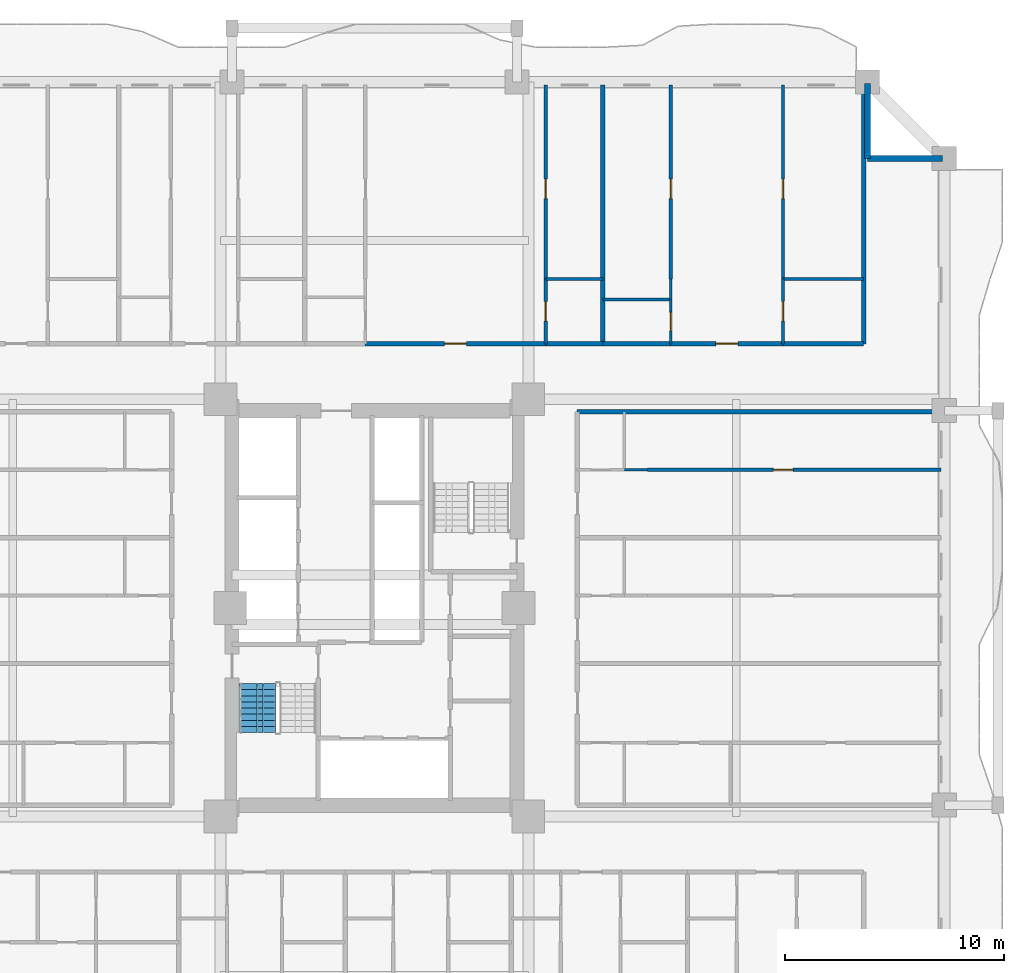
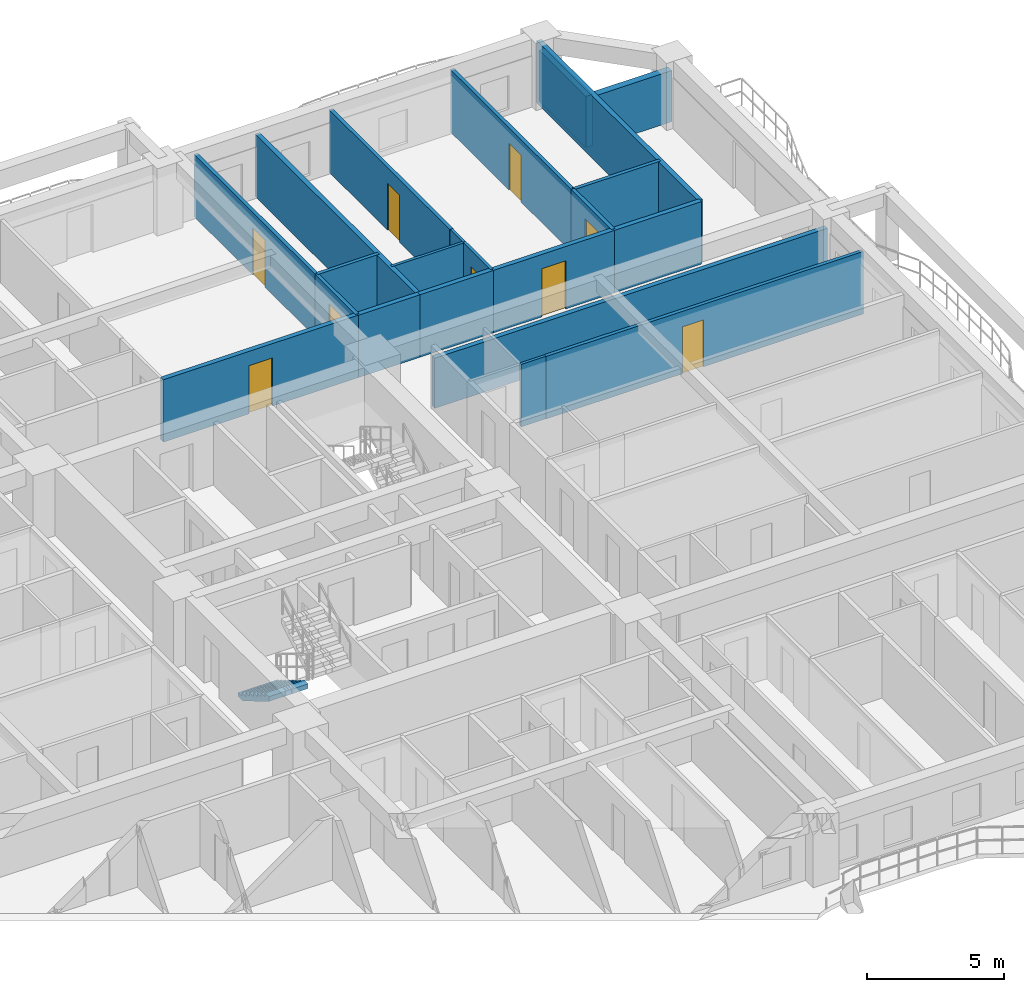
# One storey, part 9 of 16: 22 walls, 9 doors, 1 stair flight, 9 openings, 1 element without a shape of its own.
"""IFC4 building model written with IfcOpenShell, lengths in metres."""

from ifc_helpers import new_model, si_unit, direction, frame, frame_2d, origin, place, context, subcontext, project, spatial, polyline, rectangle, outline, extrude, source, transform, mapped, material, layer, layer_set, type_object, element, fill, aggregate, save


model = new_model("IFC4")

# Units and contexts
model_context = context("Model", 3, precision=1e-05, world=origin(), true_north=direction((0.0, 1.0)))
body_context = subcontext(model_context, "Body", "Model", "MODEL_VIEW")
ifc_project = project(units=[si_unit("LENGTHUNIT", "METRE"), si_unit("AREAUNIT", "SQUARE_METRE"), si_unit("VOLUMEUNIT", "CUBIC_METRE"), si_unit("PLANEANGLEUNIT", "RADIAN"), si_unit("MASSUNIT", "GRAM", prefix="KILO")], contexts=[model_context])

# Site, building, storey
site_placement = place(None, origin())
site = spatial("IfcSite", under=ifc_project, at=site_placement, CompositionType="ELEMENT")
building_placement = place(site_placement, origin())
building = spatial("IfcBuilding", under=site, at=building_placement, Name="Saelheon Loggia Tower", CompositionType="ELEMENT")
storey_placement = place(building_placement, frame((0.0, 0.0, 58.39990234375)))
storey = spatial("IfcBuildingStorey", under=building, at=storey_placement, Name="L18", CompositionType="ELEMENT", Elevation=58.39990234375)

# Walls
ifc_material_1 = material(Name="Architectural Precast Concrete C40/50", Category="concrete")
ifc_layer_1 = layer(ifc_material_1, 0.280029296875)
ifc_layer_set_1 = layer_set([ifc_layer_1], Name="Architectural Precast Concrete C40/50")
wall_type_1 = type_object("IfcWallType", Name="Wall_Ext_Loggia_280", PredefinedType="SOLIDWALL", material=ifc_layer_set_1)
for number, where, z_axis, x_axis, name in (
    (1, (60.5, 47.5, 0.0), (0.0, 0.0, 1.0), (0.0, 1.0, 0.0), "L18 Corner Notch Precast Wall NE1"),
    (2, (60.5, 47.5, 0.0), (0.0, 0.0, 1.0), (1.0, 0.0, 0.0), "L18 Corner Notch Precast Wall NE2"),
):
    element("IfcWall", number, at=place(storey_placement, frame(where, z_axis=z_axis, x_axis=x_axis)), inside=storey, type_object=wall_type_1, Name=name, PredefinedType="SOLIDWALL", context=body_context, shape_type="SweptSolid", body=[
        extrude(rectangle(XDim=3.419921875, YDim=0.280029296875, at=frame_2d((1.7099609375, 0.0))), origin(), (0.0, 0.0, 1.0), 2.280029296875),
    ])
ifc_material_2 = material(Name="Lightweight Autoclaved Aerated Concrete Block and Acoustic Gypsum", Category="concrete")
ifc_layer_2 = layer(ifc_material_2, 0.14990234375)
ifc_layer_set_2 = layer_set([ifc_layer_2], Name="Lightweight Autoclaved Aerated Concrete Block and Acoustic Gypsum")
wall_type_2 = type_object("IfcWallType", Name="Wall_Part_150", PredefinedType="PARTITIONING", material=ifc_layer_set_2)
wall_1_placement = place(storey_placement, frame((45.820068359375, 42.010009765625, 0.0), z_axis=(0.0, 0.0, 1.0), x_axis=(1.0, 0.0, 0.0)))
element("IfcWall", 3, at=wall_1_placement, inside=storey, type_object=wall_type_2, Name="L18 N Partition V31", PredefinedType="PARTITIONING", context=body_context, shape_type="SweptSolid", body=[
    extrude(rectangle(XDim=2.602783203125, YDim=0.14990234375, at=frame_2d((1.30126953125, 0.0))), origin(), (0.0, 0.0, 1.0), 2.7900390625),
])

# Wall, opening, door
wall_2_placement = place(storey_placement, frame((45.820068359375, 39.050048828125, 0.0), z_axis=(0.0, 0.0, 1.0), x_axis=(0.0, 1.0, 0.0)))
wall_2 = element("IfcWall", 4, at=wall_2_placement, inside=storey, type_object=wall_type_2, Name="L18 N Partition U35", PredefinedType="PARTITIONING", context=body_context, shape_type="SweptSolid", body=[
    extrude(rectangle(XDim=2.9599609375, YDim=0.14990234375, at=frame_2d((1.47998046875, 0.0))), origin(), (0.0, 0.0, 1.0), 2.7900390625),
])
opening_1_placement = place(wall_2_placement, frame((1.030029296875, 0.0, 0.0)))
opening_1 = element("IfcOpeningElement", 5, at=opening_1_placement, cuts=wall_2, Name="Opening D-IN2", PredefinedType="OPENING", context=body_context, shape_type="SweptSolid", body=[
    extrude(rectangle(XDim=0.89990234375, YDim=2.10009765625, at=frame_2d((0.449951171875, 1.050048828125))), frame((0.0, 0.0869140625, 0.0), z_axis=(0.0, -1.0, 0.0), x_axis=(1.0, 0.0, 0.0)), (0.0, 0.0, 1.0), 0.173828125),
])
ifc_material_3 = material(Name="Engineered Oak Flush Door", Category="timber")
door_type_1 = type_object("IfcDoorType", Name="Door_Int_900", OperationType="NOTDEFINED", PredefinedType="DOOR", material=ifc_material_3)
shared_shape_1 = source(origin(), body_context, "Body", "SweptSolid", [
    extrude(rectangle(XDim=0.89990234375, YDim=2.10009765625, at=frame_2d((0.449951171875, 1.050048828125))), frame((0.0, 0.02490234375, 0.0), z_axis=(0.0, -1.0, 0.0), x_axis=(1.0, 0.0, 0.0)), (0.0, 0.0, 1.0), 0.050048828125),
])
door_1_placement = place(opening_1_placement, origin())
door_1 = element("IfcDoor", 6, at=door_1_placement, inside=storey, type_object=door_type_1, Name="Unit U08 Dressing Closet Door", OperationType="SINGLE_SWING_LEFT", OverallHeight=2.10009765625, OverallWidth=0.89990234375, PredefinedType="DOOR", context=body_context, shape_type="MappedRepresentation", body=[
    mapped(shared_shape_1, transform((0.0, 0.0, 0.0), scale=1.0)),
])
fill(opening_1, door_1)

wall_3_placement = place(storey_placement, frame((45.820068359375, 42.010009765625, 0.0), z_axis=(0.0, 0.0, 1.0), x_axis=(0.0, 1.0, 0.0)))
wall_3 = element("IfcWall", 7, at=wall_3_placement, inside=storey, type_object=wall_type_2, Name="L18 N Partition U36", PredefinedType="PARTITIONING", context=body_context, shape_type="SweptSolid", body=[
    extrude(rectangle(XDim=8.840087890625, YDim=0.14990234375, at=frame_2d((4.419921875, 0.0))), origin(), (0.0, 0.0, 1.0), 2.7900390625),
])
opening_2_placement = place(wall_3_placement, frame((3.6591796875, 0.0, 0.0)))
opening_2 = element("IfcOpeningElement", 8, at=opening_2_placement, cuts=wall_3, Name="Opening D-IN2", PredefinedType="OPENING", context=body_context, shape_type="SweptSolid", body=[
    extrude(rectangle(XDim=0.89990234375, YDim=2.10009765625, at=frame_2d((0.449951171875, 1.050048828125))), frame((0.0, 0.0869140625, 0.0), z_axis=(0.0, -1.0, 0.0), x_axis=(1.0, 0.0, 0.0)), (0.0, 0.0, 1.0), 0.173828125),
])
door_2_placement = place(opening_2_placement, origin())
door_2 = element("IfcDoor", 9, at=door_2_placement, inside=storey, type_object=door_type_1, Name="Unit U08 Bedroom 1 Door", OperationType="SINGLE_SWING_RIGHT", OverallHeight=2.10009765625, OverallWidth=0.89990234375, PredefinedType="DOOR", context=body_context, shape_type="MappedRepresentation", body=[
    mapped(shared_shape_1, transform((0.0, 0.0, 0.0), scale=1.0)),
])
fill(opening_2, door_2)

# Wall
wall_4_placement = place(storey_placement, frame((56.6435546875, 42.010009765625, 0.0), z_axis=(0.0, 0.0, 1.0), x_axis=(1.0, 0.0, 0.0)))
element("IfcWall", 10, at=wall_4_placement, inside=storey, type_object=wall_type_2, Name="L18 N Partition V42", PredefinedType="PARTITIONING", context=body_context, shape_type="SweptSolid", body=[
    extrude(rectangle(XDim=3.676513671875, YDim=0.14990234375, at=frame_2d((1.83837890625, 0.0))), origin(), (0.0, 0.0, 1.0), 2.7900390625),
])

# Wall, opening, door
wall_5_placement = place(storey_placement, frame((51.51611328125, 42.010009765625, 0.0), z_axis=(0.0, 0.0, 1.0), x_axis=(0.0, 1.0, 0.0)))
wall_5 = element("IfcWall", 11, at=wall_5_placement, inside=storey, type_object=wall_type_2, Name="L18 N Partition U45", PredefinedType="PARTITIONING", context=body_context, shape_type="SweptSolid", body=[
    extrude(rectangle(XDim=8.840087890625, YDim=0.14990234375, at=frame_2d((4.419921875, 0.0))), origin(), (0.0, 0.0, 1.0), 2.7900390625),
])
opening_3_placement = place(wall_5_placement, frame((3.6591796875, 0.0, 0.0)))
opening_3 = element("IfcOpeningElement", 12, at=opening_3_placement, cuts=wall_5, Name="Opening D-IN2", PredefinedType="OPENING", context=body_context, shape_type="SweptSolid", body=[
    extrude(rectangle(XDim=0.89990234375, YDim=2.10009765625, at=frame_2d((0.449951171875, 1.050048828125))), frame((0.0, 0.0869140625, 0.0), z_axis=(0.0, -1.0, 0.0), x_axis=(1.0, 0.0, 0.0)), (0.0, 0.0, 1.0), 0.173828125),
])
door_3_placement = place(opening_3_placement, origin())
door_3 = element("IfcDoor", 13, at=door_3_placement, inside=storey, type_object=door_type_1, Name="Unit U09 Bedroom 2 Door", OperationType="SINGLE_SWING_LEFT", OverallHeight=2.10009765625, OverallWidth=0.89990234375, PredefinedType="DOOR", context=body_context, shape_type="MappedRepresentation", body=[
    mapped(shared_shape_1, transform((0.0, 0.0, 0.0), scale=1.0)),
])
fill(opening_3, door_3)

wall_6_placement = place(storey_placement, frame((56.6435546875, 39.050048828125, 0.0), z_axis=(0.0, 0.0, 1.0), x_axis=(0.0, 1.0, 0.0)))
wall_6 = element("IfcWall", 14, at=wall_6_placement, inside=storey, type_object=wall_type_2, Name="L18 N Partition U46", PredefinedType="PARTITIONING", context=body_context, shape_type="SweptSolid", body=[
    extrude(rectangle(XDim=2.9599609375, YDim=0.14990234375, at=frame_2d((1.47998046875, 0.0))), origin(), (0.0, 0.0, 1.0), 2.7900390625),
])
opening_4_placement = place(wall_6_placement, frame((1.030029296875, 0.0, 0.0)))
opening_4 = element("IfcOpeningElement", 15, at=opening_4_placement, cuts=wall_6, Name="Opening D-IN2", PredefinedType="OPENING", context=body_context, shape_type="SweptSolid", body=[
    extrude(rectangle(XDim=0.89990234375, YDim=2.10009765625, at=frame_2d((0.449951171875, 1.050048828125))), frame((0.0, 0.0869140625, 0.0), z_axis=(0.0, -1.0, 0.0), x_axis=(1.0, 0.0, 0.0)), (0.0, 0.0, 1.0), 0.173828125),
])
door_4_placement = place(opening_4_placement, origin())
door_4 = element("IfcDoor", 16, at=door_4_placement, inside=storey, type_object=door_type_1, Name="Unit U09 Kitchen Door", OperationType="SINGLE_SWING_RIGHT", OverallHeight=2.10009765625, OverallWidth=0.89990234375, PredefinedType="DOOR", context=body_context, shape_type="MappedRepresentation", body=[
    mapped(shared_shape_1, transform((0.0, 0.0, 0.0), scale=1.0)),
])
fill(opening_4, door_4)

wall_7_placement = place(storey_placement, frame((56.6435546875, 42.010009765625, 0.0), z_axis=(0.0, 0.0, 1.0), x_axis=(0.0, 1.0, 0.0)))
wall_7 = element("IfcWall", 17, at=wall_7_placement, inside=storey, type_object=wall_type_2, Name="L18 N Partition U47", PredefinedType="PARTITIONING", context=body_context, shape_type="SweptSolid", body=[
    extrude(rectangle(XDim=8.840087890625, YDim=0.14990234375, at=frame_2d((4.419921875, 0.0))), origin(), (0.0, 0.0, 1.0), 2.7900390625),
])
opening_5_placement = place(wall_7_placement, frame((3.6591796875, 0.0, 0.0)))
opening_5 = element("IfcOpeningElement", 18, at=opening_5_placement, cuts=wall_7, Name="Opening D-IN2", PredefinedType="OPENING", context=body_context, shape_type="SweptSolid", body=[
    extrude(rectangle(XDim=0.89990234375, YDim=2.10009765625, at=frame_2d((0.449951171875, 1.050048828125))), frame((0.0, 0.0869140625, 0.0), z_axis=(0.0, -1.0, 0.0), x_axis=(1.0, 0.0, 0.0)), (0.0, 0.0, 1.0), 0.173828125),
])
door_5_placement = place(opening_5_placement, origin())
door_5 = element("IfcDoor", 19, at=door_5_placement, inside=storey, type_object=door_type_1, Name="Unit U09 Bedroom 1 Door", OperationType="SINGLE_SWING_LEFT", OverallHeight=2.10009765625, OverallWidth=0.89990234375, PredefinedType="DOOR", context=body_context, shape_type="MappedRepresentation", body=[
    mapped(shared_shape_1, transform((0.0, 0.0, 0.0), scale=1.0)),
])
fill(opening_5, door_5)

wall_8_placement = place(storey_placement, frame((50.449951171875, 33.307861328125, 0.0), z_axis=(0.0, 0.0, 1.0), x_axis=(1.0, 0.0, 0.0)))
wall_8 = element("IfcWall", 20, at=wall_8_placement, inside=storey, type_object=wall_type_2, Name="L18 E Partition U24", PredefinedType="PARTITIONING", context=body_context, shape_type="SweptSolid", body=[
    extrude(rectangle(XDim=13.400146484375, YDim=0.14990234375, at=frame_2d((6.7001953125, 0.0))), origin(), (0.0, 0.0, 1.0), 2.7900390625),
])
opening_6_placement = place(wall_8_placement, frame((5.749267578125, 0.0, 0.0)))
opening_6 = element("IfcOpeningElement", 21, at=opening_6_placement, cuts=wall_8, Name="Opening D-IN2", PredefinedType="OPENING", context=body_context, shape_type="SweptSolid", body=[
    extrude(rectangle(XDim=0.89990234375, YDim=2.10009765625, at=frame_2d((0.449951171875, 1.050048828125))), frame((0.0, 0.0869140625, 0.0), z_axis=(0.0, -1.0, 0.0), x_axis=(1.0, 0.0, 0.0)), (0.0, 0.0, 1.0), 0.173828125),
])
door_6_placement = place(opening_6_placement, origin())
door_6 = element("IfcDoor", 22, at=door_6_placement, inside=storey, type_object=door_type_1, Name="Unit U15 Kitchen Door", OperationType="SINGLE_SWING_LEFT", OverallHeight=2.10009765625, OverallWidth=0.89990234375, PredefinedType="DOOR", context=body_context, shape_type="MappedRepresentation", body=[
    mapped(shared_shape_1, transform((0.0, 0.0, 0.0), scale=1.0)),
])
fill(opening_6, door_6)

# Wall
ifc_material_4 = material(Name="Double Acoustic Stud and Fireboard Partition", Category="gypsum")
ifc_layer_3 = layer(ifc_material_4, 0.199951171875)
ifc_layer_set_3 = layer_set([ifc_layer_3], Name="Double Acoustic Stud and Fireboard Partition")
wall_type_3 = type_object("IfcWallType", Name="Wall_Party_200", PredefinedType="PARTITIONING", material=ifc_layer_set_3)
wall_9_placement = place(storey_placement, frame((60.320068359375, 39.050048828125, 0.0), z_axis=(0.0, 0.0, 1.0), x_axis=(0.0, 1.0, 0.0)))
element("IfcWall", 23, at=wall_9_placement, inside=storey, type_object=wall_type_3, Name="L18 N Partition U02", PredefinedType="PARTITIONING", context=body_context, shape_type="SweptSolid", body=[
    extrude(rectangle(XDim=11.800048828125, YDim=0.199951171875, at=frame_2d((5.89990234375, 0.0))), origin(), (0.0, 0.0, 1.0), 2.7900390625),
])

# Wall, opening, door
wall_10_placement = place(storey_placement, frame((37.575927734375, 39.050048828125, 0.0), z_axis=(0.0, 0.0, 1.0), x_axis=(1.0, 0.0, 0.0)))
wall_10 = element("IfcWall", 24, at=wall_10_placement, inside=storey, type_object=wall_type_3, Name="L18 N Partition V28", PredefinedType="PARTITIONING", context=body_context, shape_type="SweptSolid", body=[
    extrude(rectangle(XDim=8.244140625, YDim=0.199951171875, at=frame_2d((4.1220703125, 0.0))), origin(), (0.0, 0.0, 1.0), 2.7900390625),
])
opening_7_placement = place(wall_10_placement, frame((3.6220703125, 0.0, 0.0)))
opening_7 = element("IfcOpeningElement", 25, at=opening_7_placement, cuts=wall_10, Name="Opening D-FD1", PredefinedType="OPENING", context=body_context, shape_type="SweptSolid", body=[
    extrude(rectangle(XDim=1.0, YDim=2.14990234375, at=frame_2d((0.5, 1.074951171875))), frame((0.0, 0.112060546875, 0.0), z_axis=(0.0, -1.0, 0.0), x_axis=(1.0, 0.0, 0.0)), (0.0, 0.0, 1.0), 0.223876953125),
])
ifc_material_5 = material(Name="Fire-Rated Engineered Timber Entrance Door", Category="wood")
door_type_2 = type_object("IfcDoorType", Name="Door_Flat_FD30S", OperationType="NOTDEFINED", PredefinedType="DOOR", material=ifc_material_5)
shared_shape_2 = source(origin(), body_context, "Body", "SweptSolid", [
    extrude(rectangle(XDim=1.0, YDim=2.14990234375, at=frame_2d((0.5, 1.074951171875))), frame((0.0, 0.02490234375, 0.0), z_axis=(0.0, -1.0, 0.0), x_axis=(1.0, 0.0, 0.0)), (0.0, 0.0, 1.0), 0.050048828125),
])
door_7_placement = place(opening_7_placement, origin())
door_7 = element("IfcDoor", 26, at=door_7_placement, inside=storey, type_object=door_type_2, Name="Unit U08 Entrance Door", OperationType="SINGLE_SWING_RIGHT", OverallHeight=2.14990234375, OverallWidth=1.0, PredefinedType="DOOR", context=body_context, shape_type="MappedRepresentation", body=[
    mapped(shared_shape_2, transform((0.0, 0.0, 0.0), scale=1.0)),
])
fill(opening_7, door_7)

# Walls
wall_11_placement = place(storey_placement, frame((45.820068359375, 39.050048828125, 0.0), z_axis=(0.0, 0.0, 1.0), x_axis=(1.0, 0.0, 0.0)))
element("IfcWall", 27, at=wall_11_placement, inside=storey, type_object=wall_type_3, Name="L18 N Partition V29", PredefinedType="PARTITIONING", context=body_context, shape_type="SweptSolid", body=[
    extrude(rectangle(XDim=2.602783203125, YDim=0.199951171875, at=frame_2d((1.30126953125, 0.0))), origin(), (0.0, 0.0, 1.0), 2.7900390625),
])
wall_12_placement = place(storey_placement, frame((48.4228515625, 39.050048828125, 0.0), z_axis=(0.0, 0.0, 1.0), x_axis=(0.0, 1.0, 0.0)))
element("IfcWall", 28, at=wall_12_placement, inside=storey, type_object=wall_type_3, Name="L18 N Partition U37", PredefinedType="PARTITIONING", context=body_context, shape_type="SweptSolid", body=[
    extrude(rectangle(XDim=11.800048828125, YDim=0.199951171875, at=frame_2d((5.89990234375, 0.0))), origin(), (0.0, 0.0, 1.0), 2.7900390625),
])
wall_13_placement = place(storey_placement, frame((48.4228515625, 39.050048828125, 0.0), z_axis=(0.0, 0.0, 1.0), x_axis=(1.0, 0.0, 0.0)))
element("IfcWall", 29, at=wall_13_placement, inside=storey, type_object=wall_type_3, Name="L18 N Partition V38", PredefinedType="PARTITIONING", context=body_context, shape_type="SweptSolid", body=[
    extrude(rectangle(XDim=3.09326171875, YDim=0.199951171875, at=frame_2d((1.546630859375, 0.0))), origin(), (0.0, 0.0, 1.0), 2.7900390625),
])

# Wall, opening, door
wall_14_placement = place(storey_placement, frame((51.51611328125, 39.050048828125, 0.0), z_axis=(0.0, 0.0, 1.0), x_axis=(1.0, 0.0, 0.0)))
wall_14 = element("IfcWall", 30, at=wall_14_placement, inside=storey, type_object=wall_type_3, Name="L18 N Partition V39", PredefinedType="PARTITIONING", context=body_context, shape_type="SweptSolid", body=[
    extrude(rectangle(XDim=5.12744140625, YDim=0.199951171875, at=frame_2d((2.563720703125, 0.0))), origin(), (0.0, 0.0, 1.0), 2.7900390625),
])
opening_8_placement = place(wall_14_placement, frame((2.063720703125, 0.0, 0.0)))
opening_8 = element("IfcOpeningElement", 31, at=opening_8_placement, cuts=wall_14, Name="Opening D-FD1", PredefinedType="OPENING", context=body_context, shape_type="SweptSolid", body=[
    extrude(rectangle(XDim=1.0, YDim=2.14990234375, at=frame_2d((0.5, 1.074951171875))), frame((0.0, 0.112060546875, 0.0), z_axis=(0.0, -1.0, 0.0), x_axis=(1.0, 0.0, 0.0)), (0.0, 0.0, 1.0), 0.223876953125),
])
door_8_placement = place(opening_8_placement, origin())
door_8 = element("IfcDoor", 32, at=door_8_placement, inside=storey, type_object=door_type_2, Name="Unit U09 Entrance Door", OperationType="SINGLE_SWING_LEFT", OverallHeight=2.14990234375, OverallWidth=1.0, PredefinedType="DOOR", context=body_context, shape_type="MappedRepresentation", body=[
    mapped(shared_shape_2, transform((0.0, 0.0, 0.0), scale=1.0)),
])
fill(opening_8, door_8)

# Walls
wall_15_placement = place(storey_placement, frame((56.6435546875, 39.050048828125, 0.0), z_axis=(0.0, 0.0, 1.0), x_axis=(1.0, 0.0, 0.0)))
element("IfcWall", 33, at=wall_15_placement, inside=storey, type_object=wall_type_3, Name="L18 N Partition V40", PredefinedType="PARTITIONING", context=body_context, shape_type="SweptSolid", body=[
    extrude(rectangle(XDim=3.676513671875, YDim=0.199951171875, at=frame_2d((1.83837890625, 0.0))), origin(), (0.0, 0.0, 1.0), 2.7900390625),
])
wall_16_placement = place(storey_placement, frame((47.25, 35.949951171875, 0.0), z_axis=(0.0, 0.0, 1.0), x_axis=(1.0, 0.0, 0.0)))
element("IfcWall", 34, at=wall_16_placement, inside=storey, type_object=wall_type_3, Name="L18 E Partition U02", PredefinedType="PARTITIONING", context=body_context, shape_type="SweptSolid", body=[
    extrude(rectangle(XDim=16.60009765625, YDim=0.199951171875, at=frame_2d((8.300048828125, 0.0))), origin(), (0.0, 0.0, 1.0), 2.239990234375),
])
ifc_material_6 = material(Name="Moisture-Resistant Cement Board Partition", Category="gypsum")
ifc_layer_4 = layer(ifc_material_6, 0.1201171875)
ifc_layer_set_4 = layer_set([ifc_layer_4], Name="Moisture-Resistant Cement Board Partition")
wall_type_4 = type_object("IfcWallType", Name="Wall_WetPart_120", PredefinedType="PARTITIONING", material=ifc_layer_set_4)
wall_17_placement = place(storey_placement, frame((48.4228515625, 41.070068359375, 0.0), z_axis=(0.0, 0.0, 1.0), x_axis=(1.0, 0.0, 0.0)))
element("IfcWall", 35, at=wall_17_placement, inside=storey, type_object=wall_type_4, Name="L18 N Partition V41", PredefinedType="PARTITIONING", context=body_context, shape_type="SweptSolid", body=[
    extrude(rectangle(XDim=3.09326171875, YDim=0.1201171875, at=frame_2d((1.546630859375, 0.0))), origin(), (0.0, 0.0, 1.0), 2.7900390625),
])

# Wall, opening, door
wall_18_placement = place(storey_placement, frame((51.51611328125, 39.050048828125, 0.0), z_axis=(0.0, 0.0, 1.0), x_axis=(0.0, 1.0, 0.0)))
wall_18 = element("IfcWall", 36, at=wall_18_placement, inside=storey, type_object=wall_type_4, Name="L18 N Partition U43", PredefinedType="PARTITIONING", context=body_context, shape_type="SweptSolid", body=[
    extrude(rectangle(XDim=2.02001953125, YDim=0.1201171875, at=frame_2d((1.010009765625, 0.0))), origin(), (0.0, 0.0, 1.0), 2.7900390625),
])
opening_9_placement = place(wall_18_placement, frame((0.5849609375, 0.0, 0.0)))
opening_9 = element("IfcOpeningElement", 37, at=opening_9_placement, cuts=wall_18, Name="Opening D-BT1", PredefinedType="OPENING", context=body_context, shape_type="SweptSolid", body=[
    extrude(rectangle(XDim=0.85009765625, YDim=2.050048828125, at=frame_2d((0.425048828125, 1.02490234375))), frame((0.0, 0.072021484375, 0.0), z_axis=(0.0, -1.0, 0.0), x_axis=(1.0, 0.0, 0.0)), (0.0, 0.0, 1.0), 0.14404296875),
])
ifc_material_7 = material(Name="Moisture-Resistant Laminate Timber Door", Category="wood")
door_type_3 = type_object("IfcDoorType", Name="Door_Bath_850", OperationType="NOTDEFINED", PredefinedType="DOOR", material=ifc_material_7)
shared_shape_3 = source(origin(), body_context, "Body", "SweptSolid", [
    extrude(rectangle(XDim=0.85009765625, YDim=2.050048828125, at=frame_2d((0.425048828125, 1.02490234375))), frame((0.0, 0.02490234375, 0.0), z_axis=(0.0, -1.0, 0.0), x_axis=(1.0, 0.0, 0.0)), (0.0, 0.0, 1.0), 0.050048828125),
])
door_9_placement = place(opening_9_placement, origin())
door_9 = element("IfcDoor", 38, at=door_9_placement, inside=storey, type_object=door_type_3, Name="Unit U09 Bathroom Door", OperationType="SINGLE_SWING_RIGHT", OverallHeight=2.050048828125, OverallWidth=0.85009765625, PredefinedType="DOOR", context=body_context, shape_type="MappedRepresentation", body=[
    mapped(shared_shape_3, transform((0.0, 0.0, 0.0), scale=1.0)),
])
fill(opening_9, door_9)

# Walls
wall_19_placement = place(storey_placement, frame((51.51611328125, 41.070068359375, 0.0), z_axis=(0.0, 0.0, 1.0), x_axis=(0.0, 1.0, 0.0)))
element("IfcWall", 39, at=wall_19_placement, inside=storey, type_object=wall_type_4, Name="L18 N Partition U44", PredefinedType="PARTITIONING", context=body_context, shape_type="SweptSolid", body=[
    extrude(rectangle(XDim=0.93994140625, YDim=0.1201171875, at=frame_2d((0.469970703125, 0.0))), origin(), (0.0, 0.0, 1.0), 2.7900390625),
])
wall_20_placement = place(storey_placement, frame((49.39990234375, 33.307861328125, 0.0), z_axis=(0.0, 0.0, 1.0), x_axis=(1.0, 0.0, 0.0)))
element("IfcWall", 40, at=wall_20_placement, inside=storey, type_object=wall_type_4, Name="L18 E Partition U22", PredefinedType="PARTITIONING", context=body_context, shape_type="SweptSolid", body=[
    extrude(rectangle(XDim=1.050048828125, YDim=0.1201171875, at=frame_2d((0.52490234375, 0.0))), origin(), (0.0, 0.0, 1.0), 2.7900390625),
])

# Stair, stair flight
ifc_material_8 = material(Name="Concrete C40/50", Category="concrete")
stair_type = type_object("IfcStairType", Name="Stair_Escape_Core", PredefinedType="HALF_TURN_STAIR", material=ifc_material_8)
stair_placement = place(storey_placement, origin())
stair = element("IfcStair", 41, at=stair_placement, inside=storey, type_object=stair_type, Name="L18 Special Escape Stair ST1", PredefinedType="HALF_TURN_STAIR")
stair_flight_type = type_object("IfcStairFlightType", Name="StairFlight_Tower_1660", PredefinedType="STRAIGHT", material=ifc_material_8)
stair_flight_placement = place(storey_placement, frame((32.679931640625, 23.550048828125, 0.0), z_axis=(0.0, 0.0, 1.0), x_axis=(0.0, -1.0, 0.0)))
stair_flight = element("IfcStairFlight", 42, at=stair_flight_placement, type_object=stair_flight_type, Name="ST1 flight 1", NumberOfRisers=9, NumberOfTreads=8, PredefinedType="STRAIGHT", RiserHeight=0.166666667, TreadLength=0.28, context=body_context, shape_type="SweptSolid", body=[
    extrude(outline(polyline([(0.0, 0.0), (0.0, 0.166748046875), (0.280029296875, 0.166748046875), (0.280029296875, 0.333251953125), (0.56005859375, 0.333251953125), (0.56005859375, 0.5), (0.840087890625, 0.5), (0.840087890625, 0.666748046875), (1.1201171875, 0.666748046875), (1.1201171875, 0.833251953125), (1.39990234375, 0.833251953125), (1.39990234375, 1.0), (1.679931640625, 1.0), (1.679931640625, 1.166748046875), (1.9599609375, 1.166748046875), (1.9599609375, 1.333251953125), (2.239990234375, 1.333251953125), (2.239990234375, 1.5), (2.239990234375, 1.1240234375), (0.351806640625, 0.0), (0.0, 0.0)])), frame((0.0, -0.2490234375, 0.0), z_axis=(0.0, -1.0, 0.0), x_axis=(1.0, 0.0, 0.0)), (0.0, 0.0, 1.0), 0.5810546875),
    extrude(outline(polyline([(0.0, 0.0), (0.0, 0.166748046875), (0.280029296875, 0.166748046875), (0.280029296875, 0.333251953125), (0.56005859375, 0.333251953125), (0.56005859375, 0.5), (0.840087890625, 0.5), (0.840087890625, 0.666748046875), (1.1201171875, 0.666748046875), (1.1201171875, 0.833251953125), (1.39990234375, 0.833251953125), (1.39990234375, 1.0), (1.679931640625, 1.0), (1.679931640625, 1.166748046875), (1.9599609375, 1.166748046875), (1.9599609375, 1.333251953125), (2.239990234375, 1.333251953125), (2.239990234375, 1.5), (2.239990234375, 1.1240234375), (0.351806640625, 0.0), (0.0, 0.0)])), frame((0.0, -0.194091796875, 0.0), z_axis=(0.0, -1.0, 0.0), x_axis=(1.0, 0.0, 0.0)), (0.0, 0.0, 1.0), 0.0498046875),
    extrude(outline(polyline([(0.0, 0.0), (0.0, 0.166748046875), (0.280029296875, 0.166748046875), (0.280029296875, 0.333251953125), (0.56005859375, 0.333251953125), (0.56005859375, 0.5), (0.840087890625, 0.5), (0.840087890625, 0.666748046875), (1.1201171875, 0.666748046875), (1.1201171875, 0.833251953125), (1.39990234375, 0.833251953125), (1.39990234375, 1.0), (1.679931640625, 1.0), (1.679931640625, 1.166748046875), (1.9599609375, 1.166748046875), (1.9599609375, 1.333251953125), (2.239990234375, 1.333251953125), (2.239990234375, 1.5), (2.239990234375, 1.1240234375), (0.351806640625, 0.0), (0.0, 0.0)])), frame((0.0, -0.139404296875, 0.0), z_axis=(0.0, -1.0, 0.0), x_axis=(1.0, 0.0, 0.0)), (0.0, 0.0, 1.0), 0.0498046875),
    extrude(outline(polyline([(0.0, 0.0), (0.0, 0.166748046875), (0.280029296875, 0.166748046875), (0.280029296875, 0.333251953125), (0.56005859375, 0.333251953125), (0.56005859375, 0.5), (0.840087890625, 0.5), (0.840087890625, 0.666748046875), (1.1201171875, 0.666748046875), (1.1201171875, 0.833251953125), (1.39990234375, 0.833251953125), (1.39990234375, 1.0), (1.679931640625, 1.0), (1.679931640625, 1.166748046875), (1.9599609375, 1.166748046875), (1.9599609375, 1.333251953125), (2.239990234375, 1.333251953125), (2.239990234375, 1.5), (2.239990234375, 1.1240234375), (0.351806640625, 0.0), (0.0, 0.0)])), frame((0.0, -0.084716796875, 0.0), z_axis=(0.0, -1.0, 0.0), x_axis=(1.0, 0.0, 0.0)), (0.0, 0.0, 1.0), 0.0498046875),
    extrude(outline(polyline([(0.0, 0.0), (0.0, 0.166748046875), (0.280029296875, 0.166748046875), (0.280029296875, 0.333251953125), (0.56005859375, 0.333251953125), (0.56005859375, 0.5), (0.840087890625, 0.5), (0.840087890625, 0.666748046875), (1.1201171875, 0.666748046875), (1.1201171875, 0.833251953125), (1.39990234375, 0.833251953125), (1.39990234375, 1.0), (1.679931640625, 1.0), (1.679931640625, 1.166748046875), (1.9599609375, 1.166748046875), (1.9599609375, 1.333251953125), (2.239990234375, 1.333251953125), (2.239990234375, 1.5), (2.239990234375, 1.1240234375), (0.351806640625, 0.0), (0.0, 0.0)])), frame((0.0, -0.02978515625, 0.0), z_axis=(0.0, -1.0, 0.0), x_axis=(1.0, 0.0, 0.0)), (0.0, 0.0, 1.0), 0.0498046875),
    extrude(outline(polyline([(0.0, 0.0), (0.0, 0.166748046875), (0.280029296875, 0.166748046875), (0.280029296875, 0.333251953125), (0.56005859375, 0.333251953125), (0.56005859375, 0.5), (0.840087890625, 0.5), (0.840087890625, 0.666748046875), (1.1201171875, 0.666748046875), (1.1201171875, 0.833251953125), (1.39990234375, 0.833251953125), (1.39990234375, 1.0), (1.679931640625, 1.0), (1.679931640625, 1.166748046875), (1.9599609375, 1.166748046875), (1.9599609375, 1.333251953125), (2.239990234375, 1.333251953125), (2.239990234375, 1.5), (2.239990234375, 1.1240234375), (0.351806640625, 0.0), (0.0, 0.0)])), frame((0.0, 0.02490234375, 0.0), z_axis=(0.0, -1.0, 0.0), x_axis=(1.0, 0.0, 0.0)), (0.0, 0.0, 1.0), 0.0498046875),
    extrude(outline(polyline([(0.0, 0.0), (0.0, 0.166748046875), (0.280029296875, 0.166748046875), (0.280029296875, 0.333251953125), (0.56005859375, 0.333251953125), (0.56005859375, 0.5), (0.840087890625, 0.5), (0.840087890625, 0.666748046875), (1.1201171875, 0.666748046875), (1.1201171875, 0.833251953125), (1.39990234375, 0.833251953125), (1.39990234375, 1.0), (1.679931640625, 1.0), (1.679931640625, 1.166748046875), (1.9599609375, 1.166748046875), (1.9599609375, 1.333251953125), (2.239990234375, 1.333251953125), (2.239990234375, 1.5), (2.239990234375, 1.1240234375), (0.351806640625, 0.0), (0.0, 0.0)])), frame((0.0, 0.07958984375, 0.0), z_axis=(0.0, -1.0, 0.0), x_axis=(1.0, 0.0, 0.0)), (0.0, 0.0, 1.0), 0.0498046875),
    extrude(outline(polyline([(0.0, 0.0), (0.0, 0.166748046875), (0.280029296875, 0.166748046875), (0.280029296875, 0.333251953125), (0.56005859375, 0.333251953125), (0.56005859375, 0.5), (0.840087890625, 0.5), (0.840087890625, 0.666748046875), (1.1201171875, 0.666748046875), (1.1201171875, 0.833251953125), (1.39990234375, 0.833251953125), (1.39990234375, 1.0), (1.679931640625, 1.0), (1.679931640625, 1.166748046875), (1.9599609375, 1.166748046875), (1.9599609375, 1.333251953125), (2.239990234375, 1.333251953125), (2.239990234375, 1.5), (2.239990234375, 1.1240234375), (0.351806640625, 0.0), (0.0, 0.0)])), frame((0.0, 0.134521484375, 0.0), z_axis=(0.0, -1.0, 0.0), x_axis=(1.0, 0.0, 0.0)), (0.0, 0.0, 1.0), 0.0498046875),
    extrude(outline(polyline([(0.0, 0.0), (0.0, 0.166748046875), (0.280029296875, 0.166748046875), (0.280029296875, 0.333251953125), (0.56005859375, 0.333251953125), (0.56005859375, 0.5), (0.840087890625, 0.5), (0.840087890625, 0.666748046875), (1.1201171875, 0.666748046875), (1.1201171875, 0.833251953125), (1.39990234375, 0.833251953125), (1.39990234375, 1.0), (1.679931640625, 1.0), (1.679931640625, 1.166748046875), (1.9599609375, 1.166748046875), (1.9599609375, 1.333251953125), (2.239990234375, 1.333251953125), (2.239990234375, 1.5), (2.239990234375, 1.1240234375), (0.351806640625, 0.0), (0.0, 0.0)])), frame((0.0, 0.189208984375, 0.0), z_axis=(0.0, -1.0, 0.0), x_axis=(1.0, 0.0, 0.0)), (0.0, 0.0, 1.0), 0.0498046875),
    extrude(outline(polyline([(0.0, 0.0), (0.0, 0.166748046875), (0.280029296875, 0.166748046875), (0.280029296875, 0.333251953125), (0.56005859375, 0.333251953125), (0.56005859375, 0.5), (0.840087890625, 0.5), (0.840087890625, 0.666748046875), (1.1201171875, 0.666748046875), (1.1201171875, 0.833251953125), (1.39990234375, 0.833251953125), (1.39990234375, 1.0), (1.679931640625, 1.0), (1.679931640625, 1.166748046875), (1.9599609375, 1.166748046875), (1.9599609375, 1.333251953125), (2.239990234375, 1.333251953125), (2.239990234375, 1.5), (2.239990234375, 1.1240234375), (0.351806640625, 0.0), (0.0, 0.0)])), frame((0.0, 0.243896484375, 0.0), z_axis=(0.0, -1.0, 0.0), x_axis=(1.0, 0.0, 0.0)), (0.0, 0.0, 1.0), 0.0498046875),
    extrude(outline(polyline([(0.0, 0.0), (0.0, 0.166748046875), (0.280029296875, 0.166748046875), (0.280029296875, 0.333251953125), (0.56005859375, 0.333251953125), (0.56005859375, 0.5), (0.840087890625, 0.5), (0.840087890625, 0.666748046875), (1.1201171875, 0.666748046875), (1.1201171875, 0.833251953125), (1.39990234375, 0.833251953125), (1.39990234375, 1.0), (1.679931640625, 1.0), (1.679931640625, 1.166748046875), (1.9599609375, 1.166748046875), (1.9599609375, 1.333251953125), (2.239990234375, 1.333251953125), (2.239990234375, 1.5), (2.239990234375, 1.1240234375), (0.351806640625, 0.0), (0.0, 0.0)])), frame((0.0, 0.830078125, 0.0), z_axis=(0.0, -1.0, 0.0), x_axis=(1.0, 0.0, 0.0)), (0.0, 0.0, 1.0), 0.5810546875),
])
aggregate(stair, [stair_flight])

save(model, "model.ifc")
